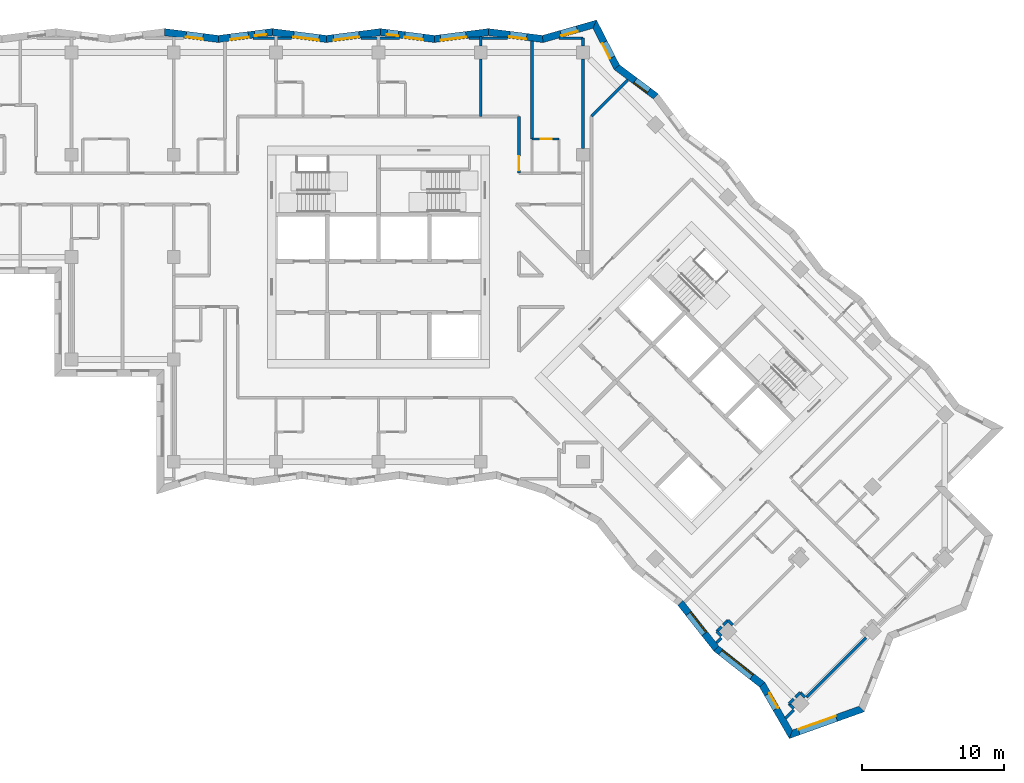
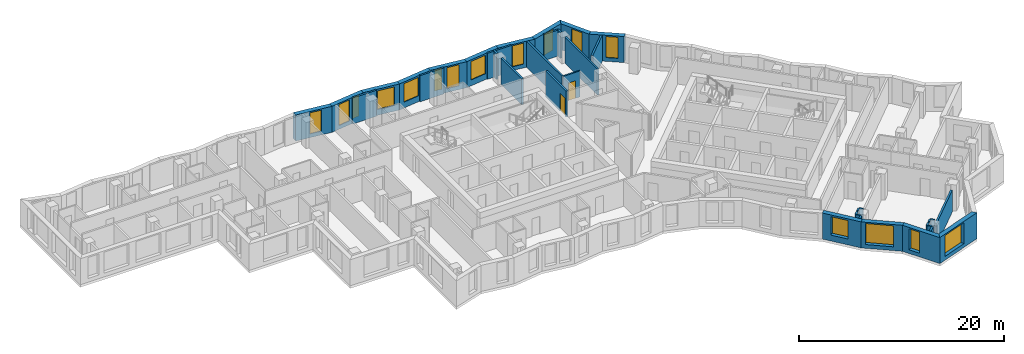
# One storey, part 7 of 12: 37 walls, 16 windows, 2 doors, 18 openings.
"""IFC4 building model written with IfcOpenShell, lengths in metres."""

from ifc_helpers import new_model, si_unit, direction, frame, frame_2d, origin, place, context, subcontext, project, spatial, polyline, rectangle, outline, extrude, material, layer, layer_set, type_object, element, fill, save


model = new_model("IFC4")

# Units and contexts
model_context = context("Model", 3, precision=1e-05, world=origin(), true_north=direction((0.0, 1.0)))
body_context = subcontext(model_context, "Body", "Model", "MODEL_VIEW")
ifc_project = project(units=[si_unit("LENGTHUNIT", "METRE"), si_unit("AREAUNIT", "SQUARE_METRE"), si_unit("VOLUMEUNIT", "CUBIC_METRE"), si_unit("PLANEANGLEUNIT", "RADIAN"), si_unit("MASSUNIT", "GRAM", prefix="KILO")], contexts=[model_context])

# Site, building, storey
site_placement = place(None, origin())
site = spatial("IfcSite", under=ifc_project, at=site_placement, CompositionType="ELEMENT")
building_placement = place(site_placement, origin())
building = spatial("IfcBuilding", under=site, at=building_placement, Name="Windrow Commons", CompositionType="ELEMENT")
storey_placement = place(building_placement, frame((0.0, 0.0, 155.8)))
storey = spatial("IfcBuildingStorey", under=building, at=storey_placement, Name="L42", CompositionType="ELEMENT", Elevation=155.8)

# Wall, opening, window
ifc_material_1 = material(Name="Brick masonry, red clay brick", Category="masonry")
ifc_layer_1 = layer(ifc_material_1, 0.5)
ifc_layer_set_1 = layer_set([ifc_layer_1], Name="Brick facade wall 500")
wall_type_1 = type_object("IfcWallType", Name="Brick facade wall 500", PredefinedType="SOLIDWALL", material=ifc_layer_set_1)
wall_1_placement = place(storey_placement, frame((93.8204, 24.0229, 0.0), z_axis=(0.0, 0.0, 1.0), x_axis=(0.941647752, 0.3365999274, 0.0)))
wall_1 = element("IfcWall", 1, at=wall_1_placement, inside=storey, type_object=wall_type_1, Name="Brick facade wall L42 1", PredefinedType="SOLIDWALL", context=body_context, shape_type="SweptSolid", body=[
    extrude(outline(polyline([(-0.2083, -0.25), (5.4015, -0.25), (5.1748, 0.25), (0.2083, 0.25), (-0.2083, -0.25)])), origin(), (0.0, 0.0, 1.0), 3.1),
])
opening_1_placement = place(wall_1_placement, frame((0.5987, 0.0, 0.45)))
opening_1 = element("IfcOpeningElement", 2, at=opening_1_placement, cuts=wall_1, Name="Opening W1U", PredefinedType="OPENING", context=body_context, shape_type="SweptSolid", body=[
    extrude(rectangle(XDim=2.8, YDim=2.5, at=frame_2d((1.4, 1.25))), frame((0.0, 0.26, 0.0), z_axis=(0.0, -1.0, 0.0), x_axis=(1.0, 0.0, 0.0)), (0.0, 0.0, 1.0), 0.52),
])
ifc_material_2 = material(Name="Clear float glass in anodised aluminium frame", Category="aluminium")
window_type_1 = type_object("IfcWindowType", Name="Window W1U bedroom 2800x2500", PartitioningType="SINGLE_PANEL", PredefinedType="WINDOW", material=ifc_material_2)
window_1_placement = place(opening_1_placement, origin())
window_1 = element("IfcWindow", 3, at=window_1_placement, inside=storey, type_object=window_type_1, Name="Window L42 1.1", OverallHeight=2.5, OverallWidth=2.8, PartitioningType="SINGLE_PANEL", PredefinedType="WINDOW", context=body_context, shape_type="SweptSolid", body=[
    extrude(rectangle(XDim=2.8, YDim=2.5, at=frame_2d((1.4, 1.25))), frame((0.0, 0.18, 0.0), z_axis=(0.0, -1.0, 0.0), x_axis=(1.0, 0.0, 0.0)), (0.0, 0.0, 1.0), 0.06),
])
fill(opening_1, window_1)

wall_2_placement = place(storey_placement, frame((84.3208, 68.9009, 0.0), z_axis=(0.0, 0.0, 1.0), x_axis=(-0.7998811987, 0.600158369, 0.0)))
wall_2 = element("IfcWall", 4, at=wall_2_placement, inside=storey, type_object=wall_type_1, Name="Brick facade wall L42 17", PredefinedType="SOLIDWALL", context=body_context, shape_type="SweptSolid", body=[
    extrude(outline(polyline([(-0.0357, -0.25), (3.3773, -0.25), (3.4922, 0.25), (0.0357, 0.25), (-0.0357, -0.25)])), origin(), (0.0, 0.0, 1.0), 3.1),
])
opening_2_placement = place(wall_2_placement, frame((0.6352, 0.0, 0.45)))
opening_2 = element("IfcOpeningElement", 5, at=opening_2_placement, cuts=wall_2, Name="Opening W7E", PredefinedType="OPENING", context=body_context, shape_type="SweptSolid", body=[
    extrude(rectangle(XDim=1.2, YDim=2.5, at=frame_2d((0.6, 1.25))), frame((0.0, 0.26, 0.0), z_axis=(0.0, -1.0, 0.0), x_axis=(1.0, 0.0, 0.0)), (0.0, 0.0, 1.0), 0.52),
])
ifc_material_3 = material(Name="Clear float glass in anodised aluminium frame", Category="aluminium")
window_type_2 = type_object("IfcWindowType", Name="Window W7 notch 1200x2500", PartitioningType="SINGLE_PANEL", PredefinedType="WINDOW", material=ifc_material_3)
window_2_placement = place(opening_2_placement, origin())
window_2 = element("IfcWindow", 6, at=window_2_placement, inside=storey, type_object=window_type_2, Name="Window L42 17.1", OverallHeight=2.5, OverallWidth=1.2, PartitioningType="SINGLE_PANEL", PredefinedType="WINDOW", context=body_context, shape_type="SweptSolid", body=[
    extrude(rectangle(XDim=1.2, YDim=2.5, at=frame_2d((0.6, 1.25))), frame((0.0, 0.18, 0.0), z_axis=(0.0, -1.0, 0.0), x_axis=(1.0, 0.0, 0.0)), (0.0, 0.0, 1.0), 0.06),
])
fill(opening_2, window_2)

wall_3_placement = place(storey_placement, frame((81.5734, 70.9623, 0.0), z_axis=(0.0, 0.0, 1.0), x_axis=(-0.4577692458, 0.8890710419, 0.0)))
wall_3 = element("IfcWall", 7, at=wall_3_placement, inside=storey, type_object=wall_type_1, Name="Brick facade wall L42 18", PredefinedType="SOLIDWALL", context=body_context, shape_type="SweptSolid", body=[
    extrude(outline(polyline([(0.0574, -0.25), (3.6052, -0.25), (3.1957, 0.25), (-0.0574, 0.25), (0.0574, -0.25)])), origin(), (0.0, 0.0, 1.0), 3.1),
])
opening_3_placement = place(wall_3_placement, frame((0.7663, 0.0, 0.45)))
opening_3 = element("IfcOpeningElement", 8, at=opening_3_placement, cuts=wall_3, Name="Opening W7E", PredefinedType="OPENING", context=body_context, shape_type="SweptSolid", body=[
    extrude(rectangle(XDim=1.2, YDim=2.5, at=frame_2d((0.6, 1.25))), frame((0.0, 0.26, 0.0), z_axis=(0.0, -1.0, 0.0), x_axis=(1.0, 0.0, 0.0)), (0.0, 0.0, 1.0), 0.52),
])
window_3_placement = place(opening_3_placement, origin())
window_3 = element("IfcWindow", 9, at=window_3_placement, inside=storey, type_object=window_type_2, Name="Window L42 18.1", OverallHeight=2.5, OverallWidth=1.2, PartitioningType="SINGLE_PANEL", PredefinedType="WINDOW", context=body_context, shape_type="SweptSolid", body=[
    extrude(rectangle(XDim=1.2, YDim=2.5, at=frame_2d((0.6, 1.25))), frame((0.0, 0.18, 0.0), z_axis=(0.0, -1.0, 0.0), x_axis=(1.0, 0.0, 0.0)), (0.0, 0.0, 1.0), 0.06),
])
fill(opening_3, window_3)

wall_4_placement = place(storey_placement, frame((80.0168, 73.9855, 0.0), z_axis=(0.0, 0.0, 1.0), x_axis=(-0.961808503, -0.2737232245, 0.0)))
wall_4 = element("IfcWall", 10, at=wall_4_placement, inside=storey, type_object=wall_type_1, Name="Brick facade wall L42 19", PredefinedType="SOLIDWALL", context=body_context, shape_type="SweptSolid", body=[
    extrude(outline(polyline([(-0.2048, -0.25), (3.7479, -0.25), (3.8501, 0.25), (0.2048, 0.25), (-0.2048, -0.25)])), origin(), (0.0, 0.0, 1.0), 3.1),
])
opening_4_placement = place(wall_4_placement, frame((1.2741, 0.0, 0.45)))
opening_4 = element("IfcOpeningElement", 11, at=opening_4_placement, cuts=wall_4, Name="Opening W7E", PredefinedType="OPENING", context=body_context, shape_type="SweptSolid", body=[
    extrude(rectangle(XDim=1.2, YDim=2.5, at=frame_2d((0.6, 1.25))), frame((0.0, 0.26, 0.0), z_axis=(0.0, -1.0, 0.0), x_axis=(1.0, 0.0, 0.0)), (0.0, 0.0, 1.0), 0.52),
])
window_4_placement = place(opening_4_placement, origin())
window_4 = element("IfcWindow", 12, at=window_4_placement, inside=storey, type_object=window_type_2, Name="Window L42 19.1", OverallHeight=2.5, OverallWidth=1.2, PartitioningType="SINGLE_PANEL", PredefinedType="WINDOW", context=body_context, shape_type="SweptSolid", body=[
    extrude(rectangle(XDim=1.2, YDim=2.5, at=frame_2d((0.6, 1.25))), frame((0.0, 0.18, 0.0), z_axis=(0.0, -1.0, 0.0), x_axis=(1.0, 0.0, 0.0)), (0.0, 0.0, 1.0), 0.06),
])
fill(opening_4, window_4)

wall_5_placement = place(storey_placement, frame((76.3628, 72.9456, 0.0), z_axis=(0.0, 0.0, 1.0), x_axis=(-0.9920594601, 0.1257697408, 0.0)))
wall_5 = element("IfcWall", 13, at=wall_5_placement, inside=storey, type_object=wall_type_1, Name="Brick facade wall L42 20", PredefinedType="SOLIDWALL", context=body_context, shape_type="SweptSolid", body=[
    extrude(outline(polyline([(0.0511, -0.25), (3.8833, -0.25), (3.8199, 0.25), (-0.0511, 0.25), (0.0511, -0.25)])), origin(), (0.0, 0.0, 1.0), 3.1),
])
opening_5_placement = place(wall_5_placement, frame((1.1444, 0.0, 0.45)))
opening_5 = element("IfcOpeningElement", 14, at=opening_5_placement, cuts=wall_5, Name="Opening W7E", PredefinedType="OPENING", context=body_context, shape_type="SweptSolid", body=[
    extrude(rectangle(XDim=1.2, YDim=2.5, at=frame_2d((0.6, 1.25))), frame((0.0, 0.26, 0.0), z_axis=(0.0, -1.0, 0.0), x_axis=(1.0, 0.0, 0.0)), (0.0, 0.0, 1.0), 0.52),
])
window_5_placement = place(opening_5_placement, origin())
window_5 = element("IfcWindow", 15, at=window_5_placement, inside=storey, type_object=window_type_2, Name="Window L42 20.1", OverallHeight=2.5, OverallWidth=1.2, PartitioningType="SINGLE_PANEL", PredefinedType="WINDOW", context=body_context, shape_type="SweptSolid", body=[
    extrude(rectangle(XDim=1.2, YDim=2.5, at=frame_2d((0.6, 1.25))), frame((0.0, 0.18, 0.0), z_axis=(0.0, -1.0, 0.0), x_axis=(1.0, 0.0, 0.0)), (0.0, 0.0, 1.0), 0.06),
])
fill(opening_5, window_5)

wall_6_placement = place(storey_placement, frame((72.5419, 73.43, 0.0), z_axis=(0.0, 0.0, 1.0), x_axis=(-0.9920583495, -0.1257785003, 0.0)))
wall_6 = element("IfcWall", 16, at=wall_6_placement, inside=storey, type_object=wall_type_1, Name="Brick facade wall L42 21", PredefinedType="SOLIDWALL", context=body_context, shape_type="SweptSolid", body=[
    extrude(outline(polyline([(-0.0317, -0.25), (3.8004, -0.25), (3.8638, 0.25), (0.0317, 0.25), (-0.0317, -0.25)])), origin(), (0.0, 0.0, 1.0), 3.1),
])
opening_6_placement = place(wall_6_placement, frame((1.5932, 0.0, 0.7)))
opening_6 = element("IfcOpeningElement", 17, at=opening_6_placement, cuts=wall_6, Name="Opening W6", PredefinedType="OPENING", context=body_context, shape_type="SweptSolid", body=[
    extrude(rectangle(XDim=1.8, YDim=2.2, at=frame_2d((0.9, 1.1))), frame((0.0, 0.26, 0.0), z_axis=(0.0, -1.0, 0.0), x_axis=(1.0, 0.0, 0.0)), (0.0, 0.0, 1.0), 0.52),
])
ifc_material_4 = material(Name="Clear float glass in anodised aluminium frame", Category="aluminium")
window_type_3 = type_object("IfcWindowType", Name="Window W6 crown 1800x2200", PartitioningType="SINGLE_PANEL", PredefinedType="WINDOW", material=ifc_material_4)
window_6_placement = place(opening_6_placement, origin())
window_6 = element("IfcWindow", 18, at=window_6_placement, inside=storey, type_object=window_type_3, Name="Window L42 21.1A", OverallHeight=2.2, OverallWidth=1.8, PartitioningType="SINGLE_PANEL", PredefinedType="WINDOW", context=body_context, shape_type="SweptSolid", body=[
    extrude(rectangle(XDim=1.8, YDim=2.2, at=frame_2d((0.9, 1.1))), frame((0.0, 0.18, 0.0), z_axis=(0.0, -1.0, 0.0), x_axis=(1.0, 0.0, 0.0)), (0.0, 0.0, 1.0), 0.06),
])
fill(opening_6, window_6)

# Wall, openings, windows
wall_7_placement = place(storey_placement, frame((68.7402, 72.948, 0.0), z_axis=(0.0, 0.0, 1.0), x_axis=(-0.9920583495, 0.1257785003, 0.0)))
wall_7 = element("IfcWall", 19, at=wall_7_placement, inside=storey, type_object=wall_type_1, Name="Brick facade wall L42 22", PredefinedType="SOLIDWALL", context=body_context, shape_type="SweptSolid", body=[
    extrude(outline(polyline([(0.0317, -0.25), (3.8638, -0.25), (3.8004, 0.25), (-0.0317, 0.25), (0.0317, -0.25)])), origin(), (0.0, 0.0, 1.0), 3.1),
])
opening_7_placement = place(wall_7_placement, frame((0.8033, 0.0, 0.45)))
opening_7 = element("IfcOpeningElement", 20, at=opening_7_placement, cuts=wall_7, Name="Opening W1Q", PredefinedType="OPENING", context=body_context, shape_type="SweptSolid", body=[
    extrude(rectangle(XDim=1.3, YDim=2.5, at=frame_2d((0.65, 1.25))), frame((0.0, 0.26, 0.0), z_axis=(0.0, -1.0, 0.0), x_axis=(1.0, 0.0, 0.0)), (0.0, 0.0, 1.0), 0.52),
])
opening_8_placement = place(wall_7_placement, frame((2.5533, 0.0, 0.45)))
opening_8 = element("IfcOpeningElement", 21, at=opening_8_placement, cuts=wall_7, Name="Opening W1N", PredefinedType="OPENING", context=body_context, shape_type="SweptSolid", body=[
    extrude(rectangle(XDim=0.8, YDim=2.5, at=frame_2d((0.4, 1.25))), frame((0.0, 0.26, 0.0), z_axis=(0.0, -1.0, 0.0), x_axis=(1.0, 0.0, 0.0)), (0.0, 0.0, 1.0), 0.52),
])
ifc_material_5 = material(Name="Clear float glass in anodised aluminium frame", Category="aluminium")
window_type_4 = type_object("IfcWindowType", Name="Window W1N slit 800x2500", PartitioningType="SINGLE_PANEL", PredefinedType="WINDOW", material=ifc_material_5)
window_7_placement = place(opening_8_placement, origin())
window_7 = element("IfcWindow", 22, at=window_7_placement, inside=storey, type_object=window_type_4, Name="Window L42 22.1B", OverallHeight=2.5, OverallWidth=0.8, PartitioningType="SINGLE_PANEL", PredefinedType="WINDOW", context=body_context, shape_type="SweptSolid", body=[
    extrude(rectangle(XDim=0.8, YDim=2.5, at=frame_2d((0.4, 1.25))), frame((0.0, 0.14, 0.0), z_axis=(0.0, -1.0, 0.0), x_axis=(1.0, 0.0, 0.0)), (0.0, 0.0, 1.0), 0.06),
])
fill(opening_8, window_7)
ifc_material_6 = material(Name="Clear float glass in anodised aluminium frame", Category="aluminium")
window_type_5 = type_object("IfcWindowType", Name="Window W1Q pair 1300x2500", PartitioningType="SINGLE_PANEL", PredefinedType="WINDOW", material=ifc_material_6)
window_8_placement = place(opening_7_placement, origin())
window_8 = element("IfcWindow", 23, at=window_8_placement, inside=storey, type_object=window_type_5, Name="Window L42 22.1A", OverallHeight=2.5, OverallWidth=1.3, PartitioningType="SINGLE_PANEL", PredefinedType="WINDOW", context=body_context, shape_type="SweptSolid", body=[
    extrude(rectangle(XDim=1.3, YDim=2.5, at=frame_2d((0.65, 1.25))), frame((0.0, 0.18, 0.0), z_axis=(0.0, -1.0, 0.0), x_axis=(1.0, 0.0, 0.0)), (0.0, 0.0, 1.0), 0.06),
])
fill(opening_7, window_8)

# Wall, opening, window
wall_8_placement = place(storey_placement, frame((64.9385, 73.43, 0.0), z_axis=(0.0, 0.0, 1.0), x_axis=(-0.9920583495, -0.1257785003, 0.0)))
wall_8 = element("IfcWall", 24, at=wall_8_placement, inside=storey, type_object=wall_type_1, Name="Brick facade wall L42 23", PredefinedType="SOLIDWALL", context=body_context, shape_type="SweptSolid", body=[
    extrude(outline(polyline([(-0.0317, -0.25), (3.8004, -0.25), (3.8638, 0.25), (0.0317, 0.25), (-0.0317, -0.25)])), origin(), (0.0, 0.0, 1.0), 3.1),
])
opening_9_placement = place(wall_8_placement, frame((1.5146, 0.0, 0.7)))
opening_9 = element("IfcOpeningElement", 25, at=opening_9_placement, cuts=wall_8, Name="Opening W6", PredefinedType="OPENING", context=body_context, shape_type="SweptSolid", body=[
    extrude(rectangle(XDim=1.8, YDim=2.2, at=frame_2d((0.9, 1.1))), frame((0.0, 0.26, 0.0), z_axis=(0.0, -1.0, 0.0), x_axis=(1.0, 0.0, 0.0)), (0.0, 0.0, 1.0), 0.52),
])
window_9_placement = place(opening_9_placement, origin())
window_9 = element("IfcWindow", 26, at=window_9_placement, inside=storey, type_object=window_type_3, Name="Window L42 23.1A", OverallHeight=2.2, OverallWidth=1.8, PartitioningType="SINGLE_PANEL", PredefinedType="WINDOW", context=body_context, shape_type="SweptSolid", body=[
    extrude(rectangle(XDim=1.8, YDim=2.2, at=frame_2d((0.9, 1.1))), frame((0.0, 0.18, 0.0), z_axis=(0.0, -1.0, 0.0), x_axis=(1.0, 0.0, 0.0)), (0.0, 0.0, 1.0), 0.06),
])
fill(opening_9, window_9)

wall_9_placement = place(storey_placement, frame((61.1368, 72.948, 0.0), z_axis=(0.0, 0.0, 1.0), x_axis=(-0.9920587623, 0.1257752442, 0.0)))
wall_9 = element("IfcWall", 27, at=wall_9_placement, inside=storey, type_object=wall_type_1, Name="Brick facade wall L42 24", PredefinedType="SOLIDWALL", context=body_context, shape_type="SweptSolid", body=[
    extrude(outline(polyline([(0.0317, -0.25), (3.8638, -0.25), (3.8004, 0.25), (-0.0317, 0.25), (0.0317, -0.25)])), origin(), (0.0, 0.0, 1.0), 3.1),
])
opening_10_placement = place(wall_9_placement, frame((0.5175, 0.0, 0.7)))
opening_10 = element("IfcOpeningElement", 28, at=opening_10_placement, cuts=wall_9, Name="Opening W6", PredefinedType="OPENING", context=body_context, shape_type="SweptSolid", body=[
    extrude(rectangle(XDim=1.8, YDim=2.2, at=frame_2d((0.9, 1.1))), frame((0.0, 0.26, 0.0), z_axis=(0.0, -1.0, 0.0), x_axis=(1.0, 0.0, 0.0)), (0.0, 0.0, 1.0), 0.52),
])
window_10_placement = place(opening_10_placement, origin())
window_10 = element("IfcWindow", 29, at=window_10_placement, inside=storey, type_object=window_type_3, Name="Window L42 24.1A", OverallHeight=2.2, OverallWidth=1.8, PartitioningType="SINGLE_PANEL", PredefinedType="WINDOW", context=body_context, shape_type="SweptSolid", body=[
    extrude(rectangle(XDim=1.8, YDim=2.2, at=frame_2d((0.9, 1.1))), frame((0.0, 0.18, 0.0), z_axis=(0.0, -1.0, 0.0), x_axis=(1.0, 0.0, 0.0)), (0.0, 0.0, 1.0), 0.06),
])
fill(opening_10, window_10)

# Wall, openings, windows
wall_10_placement = place(storey_placement, frame((57.335, 73.43, 0.0), z_axis=(0.0, 0.0, 1.0), x_axis=(-0.9920583495, -0.1257785003, 0.0)))
wall_10 = element("IfcWall", 30, at=wall_10_placement, inside=storey, type_object=wall_type_1, Name="Brick facade wall L42 25", PredefinedType="SOLIDWALL", context=body_context, shape_type="SweptSolid", body=[
    extrude(outline(polyline([(-0.0317, -0.25), (3.8004, -0.25), (3.8638, 0.25), (0.0317, 0.25), (-0.0317, -0.25)])), origin(), (0.0, 0.0, 1.0), 3.1),
])
opening_11_placement = place(wall_10_placement, frame((0.447, 0.0, 0.45)))
opening_11 = element("IfcOpeningElement", 31, at=opening_11_placement, cuts=wall_10, Name="Opening W1N", PredefinedType="OPENING", context=body_context, shape_type="SweptSolid", body=[
    extrude(rectangle(XDim=0.8, YDim=2.5, at=frame_2d((0.4, 1.25))), frame((0.0, 0.26, 0.0), z_axis=(0.0, -1.0, 0.0), x_axis=(1.0, 0.0, 0.0)), (0.0, 0.0, 1.0), 0.52),
])
opening_12_placement = place(wall_10_placement, frame((1.697, 0.0, 0.45)))
opening_12 = element("IfcOpeningElement", 32, at=opening_12_placement, cuts=wall_10, Name="Opening W1Q", PredefinedType="OPENING", context=body_context, shape_type="SweptSolid", body=[
    extrude(rectangle(XDim=1.3, YDim=2.5, at=frame_2d((0.65, 1.25))), frame((0.0, 0.26, 0.0), z_axis=(0.0, -1.0, 0.0), x_axis=(1.0, 0.0, 0.0)), (0.0, 0.0, 1.0), 0.52),
])
window_11_placement = place(opening_11_placement, origin())
window_11 = element("IfcWindow", 33, at=window_11_placement, inside=storey, type_object=window_type_4, Name="Window L42 25.1A", OverallHeight=2.5, OverallWidth=0.8, PartitioningType="SINGLE_PANEL", PredefinedType="WINDOW", context=body_context, shape_type="SweptSolid", body=[
    extrude(rectangle(XDim=0.8, YDim=2.5, at=frame_2d((0.4, 1.25))), frame((0.0, 0.14, 0.0), z_axis=(0.0, -1.0, 0.0), x_axis=(1.0, 0.0, 0.0)), (0.0, 0.0, 1.0), 0.06),
])
fill(opening_11, window_11)
window_12_placement = place(opening_12_placement, origin())
window_12 = element("IfcWindow", 34, at=window_12_placement, inside=storey, type_object=window_type_5, Name="Window L42 25.1B", OverallHeight=2.5, OverallWidth=1.3, PartitioningType="SINGLE_PANEL", PredefinedType="WINDOW", context=body_context, shape_type="SweptSolid", body=[
    extrude(rectangle(XDim=1.3, YDim=2.5, at=frame_2d((0.65, 1.25))), frame((0.0, 0.18, 0.0), z_axis=(0.0, -1.0, 0.0), x_axis=(1.0, 0.0, 0.0)), (0.0, 0.0, 1.0), 0.06),
])
fill(opening_12, window_12)

# Wall, opening, window
wall_11_placement = place(storey_placement, frame((53.5333, 72.948, 0.0), z_axis=(0.0, 0.0, 1.0), x_axis=(-0.9920583495, 0.1257785003, 0.0)))
wall_11 = element("IfcWall", 35, at=wall_11_placement, inside=storey, type_object=wall_type_1, Name="Brick facade wall L42 26", PredefinedType="SOLIDWALL", context=body_context, shape_type="SweptSolid", body=[
    extrude(outline(polyline([(0.0317, -0.25), (3.8638, -0.25), (3.8004, 0.25), (-0.0317, 0.25), (0.0317, -0.25)])), origin(), (0.0, 0.0, 1.0), 3.1),
])
opening_13_placement = place(wall_11_placement, frame((1.0792, 0.0, 0.45)))
opening_13 = element("IfcOpeningElement", 36, at=opening_13_placement, cuts=wall_11, Name="Opening W7E", PredefinedType="OPENING", context=body_context, shape_type="SweptSolid", body=[
    extrude(rectangle(XDim=1.2, YDim=2.5, at=frame_2d((0.6, 1.25))), frame((0.0, 0.26, 0.0), z_axis=(0.0, -1.0, 0.0), x_axis=(1.0, 0.0, 0.0)), (0.0, 0.0, 1.0), 0.52),
])
window_13_placement = place(opening_13_placement, origin())
window_13 = element("IfcWindow", 37, at=window_13_placement, inside=storey, type_object=window_type_2, Name="Window L42 26.1", OverallHeight=2.5, OverallWidth=1.2, PartitioningType="SINGLE_PANEL", PredefinedType="WINDOW", context=body_context, shape_type="SweptSolid", body=[
    extrude(rectangle(XDim=1.2, YDim=2.5, at=frame_2d((0.6, 1.25))), frame((0.0, 0.18, 0.0), z_axis=(0.0, -1.0, 0.0), x_axis=(1.0, 0.0, 0.0)), (0.0, 0.0, 1.0), 0.06),
])
fill(opening_13, window_13)

wall_12_placement = place(storey_placement, frame((86.0512, 33.2608, 0.0), z_axis=(0.0, 0.0, 1.0), x_axis=(0.6186757476, -0.7856464341, 0.0)))
wall_12 = element("IfcWall", 38, at=wall_12_placement, inside=storey, type_object=wall_type_1, Name="Brick facade wall L42 53", PredefinedType="SOLIDWALL", context=body_context, shape_type="SweptSolid", body=[
    extrude(outline(polyline([(0.0297, -0.25), (4.1125, -0.25), (4.0531, 0.25), (-0.0297, 0.25), (0.0297, -0.25)])), origin(), (0.0, 0.0, 1.0), 3.1),
])
opening_14_placement = place(wall_12_placement, frame((0.9345, 0.0, 0.7)))
opening_14 = element("IfcOpeningElement", 39, at=opening_14_placement, cuts=wall_12, Name="Opening W6", PredefinedType="OPENING", context=body_context, shape_type="SweptSolid", body=[
    extrude(rectangle(XDim=1.8, YDim=2.2, at=frame_2d((0.9, 1.1))), frame((0.0, 0.26, 0.0), z_axis=(0.0, -1.0, 0.0), x_axis=(1.0, 0.0, 0.0)), (0.0, 0.0, 1.0), 0.52),
])
window_14_placement = place(opening_14_placement, origin())
window_14 = element("IfcWindow", 40, at=window_14_placement, inside=storey, type_object=window_type_3, Name="Window L42 53.1A", OverallHeight=2.2, OverallWidth=1.8, PartitioningType="SINGLE_PANEL", PredefinedType="WINDOW", context=body_context, shape_type="SweptSolid", body=[
    extrude(rectangle(XDim=1.8, YDim=2.2, at=frame_2d((0.9, 1.1))), frame((0.0, 0.18, 0.0), z_axis=(0.0, -1.0, 0.0), x_axis=(1.0, 0.0, 0.0)), (0.0, 0.0, 1.0), 0.06),
])
fill(opening_14, window_14)

wall_13_placement = place(storey_placement, frame((88.5771, 30.0532, 0.0), z_axis=(0.0, 0.0, 1.0), x_axis=(0.7856392777, -0.6186848353, 0.0)))
wall_13 = element("IfcWall", 41, at=wall_13_placement, inside=storey, type_object=wall_type_1, Name="Brick facade wall L42 54", PredefinedType="SOLIDWALL", context=body_context, shape_type="SweptSolid", body=[
    extrude(outline(polyline([(-0.0297, -0.25), (4.0531, -0.25), (4.149, 0.25), (0.0297, 0.25), (-0.0297, -0.25)])), origin(), (0.0, 0.0, 1.0), 3.1),
])
opening_15_placement = place(wall_13_placement, frame((0.3807, 0.0, 0.45)))
opening_15 = element("IfcOpeningElement", 42, at=opening_15_placement, cuts=wall_13, Name="Opening W1U", PredefinedType="OPENING", context=body_context, shape_type="SweptSolid", body=[
    extrude(rectangle(XDim=2.8, YDim=2.5, at=frame_2d((1.4, 1.25))), frame((0.0, 0.26, 0.0), z_axis=(0.0, -1.0, 0.0), x_axis=(1.0, 0.0, 0.0)), (0.0, 0.0, 1.0), 0.52),
])
window_15_placement = place(opening_15_placement, origin())
window_15 = element("IfcWindow", 43, at=window_15_placement, inside=storey, type_object=window_type_1, Name="Window L42 54.1", OverallHeight=2.5, OverallWidth=2.8, PartitioningType="SINGLE_PANEL", PredefinedType="WINDOW", context=body_context, shape_type="SweptSolid", body=[
    extrude(rectangle(XDim=2.8, YDim=2.5, at=frame_2d((1.4, 1.25))), frame((0.0, 0.18, 0.0), z_axis=(0.0, -1.0, 0.0), x_axis=(1.0, 0.0, 0.0)), (0.0, 0.0, 1.0), 0.06),
])
fill(opening_15, window_15)

wall_14_placement = place(storey_placement, frame((91.7991, 27.5159, 0.0), z_axis=(0.0, 0.0, 1.0), x_axis=(0.5008575119, -0.8655297527, 0.0)))
wall_14 = element("IfcWall", 44, at=wall_14_placement, inside=storey, type_object=wall_type_1, Name="Brick facade wall L42 55", PredefinedType="SOLIDWALL", context=body_context, shape_type="SweptSolid", body=[
    extrude(outline(polyline([(0.048, -0.25), (4.2441, -0.25), (3.8274, 0.25), (-0.048, 0.25), (0.048, -0.25)])), origin(), (0.0, 0.0, 1.0), 3.1),
])
opening_16_placement = place(wall_14_placement, frame((0.7677, 0.0, 0.45)))
opening_16 = element("IfcOpeningElement", 45, at=opening_16_placement, cuts=wall_14, Name="Opening W7E", PredefinedType="OPENING", context=body_context, shape_type="SweptSolid", body=[
    extrude(rectangle(XDim=1.2, YDim=2.5, at=frame_2d((0.6, 1.25))), frame((0.0, 0.26, 0.0), z_axis=(0.0, -1.0, 0.0), x_axis=(1.0, 0.0, 0.0)), (0.0, 0.0, 1.0), 0.52),
])
window_16_placement = place(opening_16_placement, origin())
window_16 = element("IfcWindow", 46, at=window_16_placement, inside=storey, type_object=window_type_2, Name="Window L42 55.1", OverallHeight=2.5, OverallWidth=1.2, PartitioningType="SINGLE_PANEL", PredefinedType="WINDOW", context=body_context, shape_type="SweptSolid", body=[
    extrude(rectangle(XDim=1.2, YDim=2.5, at=frame_2d((0.6, 1.25))), frame((0.0, 0.18, 0.0), z_axis=(0.0, -1.0, 0.0), x_axis=(1.0, 0.0, 0.0)), (0.0, 0.0, 1.0), 0.06),
])
fill(opening_16, window_16)

# Wall, opening, door
ifc_material_7 = material(Name="Blockwork partition", Category="masonry")
ifc_layer_2 = layer(ifc_material_7, 0.2)
ifc_layer_set_2 = layer_set([ifc_layer_2], Name="IW-CORRIDOR-200")
wall_type_2 = type_object("IfcWallType", Name="IW-CORRIDOR-200", PredefinedType="PARTITIONING", material=ifc_layer_set_2)
wall_15_placement = place(storey_placement, frame((74.7, 63.502, 0.0), z_axis=(0.0, 0.0, 1.0), x_axis=(0.0, 1.0, 0.0)))
wall_15 = element("IfcWall", 47, at=wall_15_placement, inside=storey, type_object=wall_type_2, Name="W-L42-W043", PredefinedType="PARTITIONING", context=body_context, shape_type="SweptSolid", body=[
    extrude(rectangle(XDim=3.998, YDim=0.2, at=frame_2d((1.999, 0.0))), origin(), (0.0, 0.0, 1.0), 3.1),
])
opening_17_placement = place(wall_15_placement, frame((0.2031, 0.0, 0.0)))
opening_17 = element("IfcOpeningElement", 48, at=opening_17_placement, cuts=wall_15, Name="Opening D310F", PredefinedType="OPENING", context=body_context, shape_type="SweptSolid", body=[
    extrude(rectangle(XDim=1.0, YDim=2.1, at=frame_2d((0.5, 1.05))), frame((0.0, 0.11, 0.0), z_axis=(0.0, -1.0, 0.0), x_axis=(1.0, 0.0, 0.0)), (0.0, 0.0, 1.0), 0.22),
])
ifc_material_8 = material(Name="Timber door leaf", Category="wood")
door_type_1 = type_object("IfcDoorType", Name="DT-AMENITY-1000", OperationType="SINGLE_SWING_LEFT", PredefinedType="DOOR", material=ifc_material_8)
door_1_placement = place(opening_17_placement, origin())
door_1 = element("IfcDoor", 49, at=door_1_placement, inside=storey, type_object=door_type_1, Name="D-L42-D022", OperationType="SINGLE_SWING_RIGHT", OverallHeight=2.1, OverallWidth=1.0, PredefinedType="DOOR", context=body_context, shape_type="SweptSolid", body=[
    extrude(rectangle(XDim=1.0, YDim=2.1, at=frame_2d((0.5, 1.05))), frame((0.0, 0.025, 0.0), z_axis=(0.0, -1.0, 0.0), x_axis=(1.0, 0.0, 0.0)), (0.0, 0.0, 1.0), 0.05),
])
fill(opening_17, door_1)

ifc_material_9 = material(Name="Blockwork partition", Category="masonry")
ifc_layer_3 = layer(ifc_material_9, 0.15)
ifc_layer_set_3 = layer_set([ifc_layer_3], Name="IW-ENSUITE-150")
wall_type_3 = type_object("IfcWallType", Name="IW-ENSUITE-150", PredefinedType="PARTITIONING", material=ifc_layer_set_3)
wall_16_placement = place(storey_placement, frame((75.6, 65.9, 0.0), z_axis=(0.0, 0.0, 1.0), x_axis=(1.0, 0.0, 0.0)))
wall_16 = element("IfcWall", 50, at=wall_16_placement, inside=storey, type_object=wall_type_3, Name="W-L42-W114", PredefinedType="PARTITIONING", context=body_context, shape_type="SweptSolid", body=[
    extrude(rectangle(XDim=1.9, YDim=0.15, at=frame_2d((0.95, 0.0))), origin(), (0.0, 0.0, 1.0), 3.1),
])
opening_18_placement = place(wall_16_placement, frame((0.6069, 0.0, 0.0)))
opening_18 = element("IfcOpeningElement", 51, at=opening_18_placement, cuts=wall_16, Name="Opening D208N", PredefinedType="OPENING", context=body_context, shape_type="SweptSolid", body=[
    extrude(rectangle(XDim=0.8, YDim=2.1, at=frame_2d((0.4, 1.05))), frame((0.0, 0.085, 0.0), z_axis=(0.0, -1.0, 0.0), x_axis=(1.0, 0.0, 0.0)), (0.0, 0.0, 1.0), 0.17),
])
ifc_material_10 = material(Name="Timber door leaf", Category="wood")
door_type_2 = type_object("IfcDoorType", Name="DT-ENSUITE-800", OperationType="SINGLE_SWING_LEFT", PredefinedType="DOOR", material=ifc_material_10)
door_2_placement = place(opening_18_placement, origin())
door_2 = element("IfcDoor", 52, at=door_2_placement, inside=storey, type_object=door_type_2, Name="D-L42-D024", OperationType="SINGLE_SWING_RIGHT", OverallHeight=2.1, OverallWidth=0.8, PredefinedType="DOOR", context=body_context, shape_type="SweptSolid", body=[
    extrude(rectangle(XDim=0.8, YDim=2.1, at=frame_2d((0.4, 1.05))), frame((0.0, 0.025, 0.0), z_axis=(0.0, -1.0, 0.0), x_axis=(1.0, 0.0, 0.0)), (0.0, 0.0, 1.0), 0.05),
])
fill(opening_18, door_2)

# Walls
ifc_material_11 = material(Name="Blockwork partition", Category="masonry")
ifc_layer_4 = layer(ifc_material_11, 0.2)
ifc_layer_set_4 = layer_set([ifc_layer_4], Name="IW-PARTY-200")
wall_type_4 = type_object("IfcWallType", Name="IW-PARTY-200", PredefinedType="PARTITIONING", material=ifc_layer_set_4)
wall_17_placement = place(storey_placement, frame((75.6, 65.9, 0.0), z_axis=(0.0, 0.0, 1.0), x_axis=(0.0, 1.0, 0.0)))
element("IfcWall", 53, at=wall_17_placement, inside=storey, type_object=wall_type_4, Name="W-L42-W016", PredefinedType="PARTITIONING", context=body_context, shape_type="SweptSolid", body=[
    extrude(rectangle(XDim=6.8903, YDim=0.2, at=frame_2d((3.4451, 0.0))), origin(), (0.0, 0.0, 1.0), 3.1),
])
wall_18_placement = place(storey_placement, frame((79.2, 65.25, 0.0), z_axis=(0.0, 0.0, 1.0), x_axis=(0.0, 1.0, 0.0)))
element("IfcWall", 54, at=wall_18_placement, inside=storey, type_object=wall_type_4, Name="W-L42-W025", PredefinedType="PARTITIONING", context=body_context, shape_type="SweptSolid", body=[
    extrude(rectangle(XDim=6.3, YDim=0.2, at=frame_2d((3.15, 0.0))), origin(), (0.0, 0.0, 1.0), 3.1),
])
wall_19_placement = place(storey_placement, frame((94.9232, 26.6308, 0.0), z_axis=(0.0, 0.0, 1.0), x_axis=(0.7071067812, 0.7071067812, 0.0)))
element("IfcWall", 55, at=wall_19_placement, inside=storey, type_object=wall_type_4, Name="W-L42-W029", PredefinedType="PARTITIONING", context=body_context, shape_type="SweptSolid", body=[
    extrude(rectangle(XDim=5.9256, YDim=0.2, at=frame_2d((2.9628, 0.0))), origin(), (0.0, 0.0, 1.0), 2.6),
])
wall_20_placement = place(storey_placement, frame((72.0, 67.5, 0.0), z_axis=(0.0, 0.0, 1.0), x_axis=(0.0, 1.0, 0.0)))
element("IfcWall", 56, at=wall_20_placement, inside=storey, type_object=wall_type_4, Name="W-L42-W041", PredefinedType="PARTITIONING", context=body_context, shape_type="SweptSolid", body=[
    extrude(rectangle(XDim=4.05, YDim=0.2, at=frame_2d((2.025, 0.0))), origin(), (0.0, 0.0, 1.0), 3.1),
])
wall_21_placement = place(storey_placement, frame((79.7975, 67.5105, 0.0), z_axis=(0.0, 0.0, 1.0), x_axis=(0.7068437799, 0.7073696847, 0.0)))
element("IfcWall", 57, at=wall_21_placement, inside=storey, type_object=wall_type_4, Name="W-L42-W046", PredefinedType="PARTITIONING", context=body_context, shape_type="SweptSolid", body=[
    extrude(rectangle(XDim=3.6128, YDim=0.2, at=frame_2d((1.8064, 0.0))), origin(), (0.0, 0.0, 1.0), 3.1),
])
for number, where, z_axis, x_axis, name in (
    (58, (63.5845, 73.0, 0.0), (0.0, 0.0, 1.0), (1.0, 0.0, 0.0), "W-L42-W057"),
    (59, (71.1879, 73.0, 0.0), (0.0, 0.0, 1.0), (1.0, 0.0, 0.0), "W-L42-W058"),
    (60, (55.9811, 73.0, 0.0), (0.0, 0.0, 1.0), (1.0, 0.0, 0.0), "W-L42-W060"),
):
    element("IfcWall", number, at=place(storey_placement, frame(where, z_axis=z_axis, x_axis=x_axis)), inside=storey, type_object=wall_type_4, Name=name, PredefinedType="PARTITIONING", context=body_context, shape_type="SweptSolid", body=[
        extrude(rectangle(XDim=2.7079, YDim=0.2, at=frame_2d((1.3539, 0.0))), origin(), (0.0, 0.0, 1.0), 3.1),
    ])
wall_22_placement = place(storey_placement, frame((77.5174, 73.0, 0.0), z_axis=(0.0, 0.0, 1.0), x_axis=(1.0, 0.0, 0.0)))
element("IfcWall", 61, at=wall_22_placement, inside=storey, type_object=wall_type_4, Name="W-L42-W129", PredefinedType="PARTITIONING", context=body_context, shape_type="SweptSolid", body=[
    extrude(rectangle(XDim=1.6826, YDim=0.2, at=frame_2d((0.8413, 0.0))), origin(), (0.0, 0.0, 1.0), 3.1),
])
wall_23_placement = place(storey_placement, frame((93.4517, 25.1593, 0.0), z_axis=(0.0, 0.0, 1.0), x_axis=(0.7071067812, 0.7071067812, 0.0)))
element("IfcWall", 62, at=wall_23_placement, inside=storey, type_object=wall_type_4, Name="W-L42-W151", PredefinedType="PARTITIONING", context=body_context, shape_type="SweptSolid", body=[
    extrude(rectangle(XDim=0.8082, YDim=0.2, at=frame_2d((0.4041, 0.0))), origin(), (0.0, 0.0, 1.0), 3.1),
])
wall_24_placement = place(storey_placement, frame((72.0, 72.45, 0.0), z_axis=(0.0, 0.0, 1.0), x_axis=(0.0, 1.0, 0.0)))
element("IfcWall", 63, at=wall_24_placement, inside=storey, type_object=wall_type_4, Name="W-L42-W163", PredefinedType="PARTITIONING", context=body_context, shape_type="SweptSolid", body=[
    extrude(rectangle(XDim=0.6593, YDim=0.2, at=frame_2d((0.3296, 0.0))), origin(), (0.0, 0.0, 1.0), 3.1),
])
wall_25_placement = place(storey_placement, frame((79.2, 72.45, 0.0), z_axis=(0.0, 0.0, 1.0), x_axis=(0.0, 1.0, 0.0)))
element("IfcWall", 64, at=wall_25_placement, inside=storey, type_object=wall_type_4, Name="W-L42-W170", PredefinedType="PARTITIONING", context=body_context, shape_type="SweptSolid", body=[
    extrude(rectangle(XDim=0.55, YDim=0.2, at=frame_2d((0.275, 0.0))), origin(), (0.0, 0.0, 1.0), 3.1),
])
for number, where, z_axis, x_axis, name in (
    (65, (88.6004, 31.2684, 0.0), (0.0, 0.0, 1.0), (0.7071067812, -0.7071067812, 0.0), "W-L42-W178"),
    (66, (89.3863, 32.0523, 0.0), (0.0, 0.0, 1.0), (0.7071067812, -0.7071067812, 0.0), "W-L42-W180"),
    (67, (88.6001, 31.2679, 0.0), (0.0, 0.0, 1.0), (0.7071067812, 0.7071067812, 0.0), "W-L42-W181"),
    (68, (89.0531, 31.7209, 0.0), (0.0, 0.0, 1.0), (0.7071067812, 0.7071067812, 0.0), "W-L42-W182"),
):
    element("IfcWall", number, at=place(storey_placement, frame(where, z_axis=z_axis, x_axis=x_axis)), inside=storey, type_object=wall_type_4, Name=name, PredefinedType="PARTITIONING", context=body_context, shape_type="SweptSolid", body=[
        extrude(rectangle(XDim=0.4695, YDim=0.2, at=frame_2d((0.2347, 0.0))), origin(), (0.0, 0.0, 1.0), 3.1),
    ])
for number, where, z_axis, x_axis, name in (
    (69, (93.6887, 26.1794, 0.0), (0.0, 0.0, 1.0), (0.7092398187, 0.7049672897, 0.0), "W-L42-W187"),
    (70, (93.6886, 26.1726, 0.0), (0.0, 0.0, 1.0), (0.7092398187, -0.7049672897, 0.0), "W-L42-W190"),
    (71, (94.144, 26.632, 0.0), (0.0, 0.0, 1.0), (0.7092398187, 0.7049672897, 0.0), "W-L42-W192"),
):
    element("IfcWall", number, at=place(storey_placement, frame(where, z_axis=z_axis, x_axis=x_axis)), inside=storey, type_object=wall_type_4, Name=name, PredefinedType="PARTITIONING", context=body_context, shape_type="SweptSolid", body=[
        extrude(rectangle(XDim=0.4681, YDim=0.2, at=frame_2d((0.2341, 0.0))), origin(), (0.0, 0.0, 1.0), 3.1),
    ])
wall_26_placement = place(storey_placement, frame((94.4783, 26.9603, 0.0), z_axis=(0.0, 0.0, 1.0), x_axis=(0.7071067812, -0.7071067812, 0.0)))
element("IfcWall", 72, at=wall_26_placement, inside=storey, type_object=wall_type_4, Name="W-L42-W194", PredefinedType="PARTITIONING", context=body_context, shape_type="SweptSolid", body=[
    extrude(rectangle(XDim=0.4667, YDim=0.2, at=frame_2d((0.2334, 0.0))), origin(), (0.0, 0.0, 1.0), 3.1),
])
wall_27_placement = place(storey_placement, frame((88.5728, 30.4628, 0.0), z_axis=(0.0, 0.0, 1.0), x_axis=(0.7071067812, 0.7071067812, 0.0)))
element("IfcWall", 73, at=wall_27_placement, inside=storey, type_object=wall_type_4, Name="W-L42-W198", PredefinedType="PARTITIONING", context=body_context, shape_type="SweptSolid", body=[
    extrude(rectangle(XDim=0.4811, YDim=0.2, at=frame_2d((0.2406, 0.0))), origin(), (0.0, 0.0, 1.0), 3.1),
])

save(model, "model.ifc")
